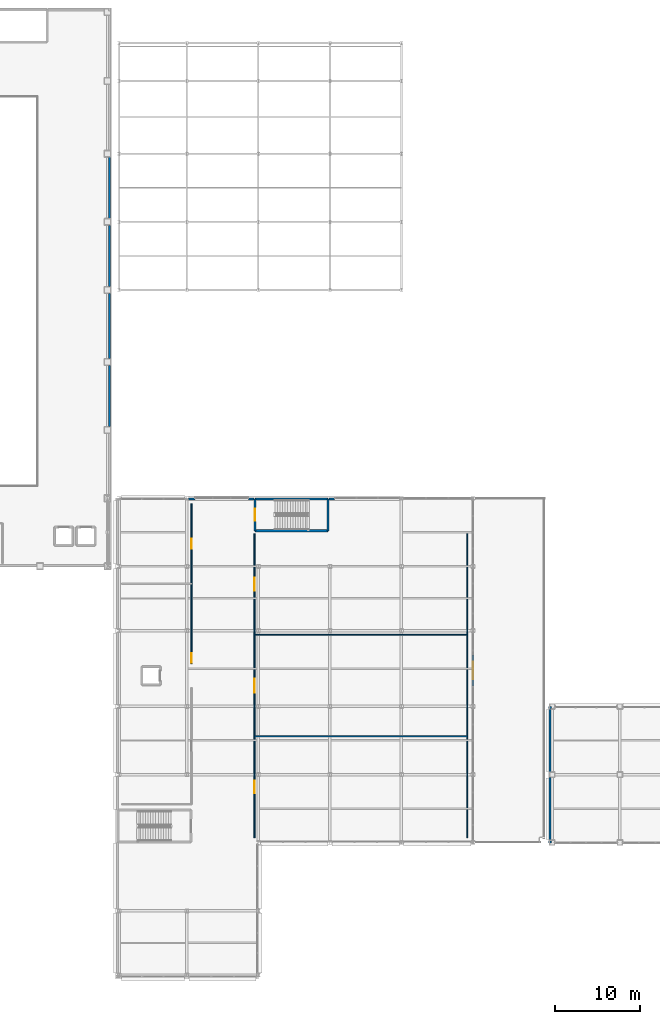
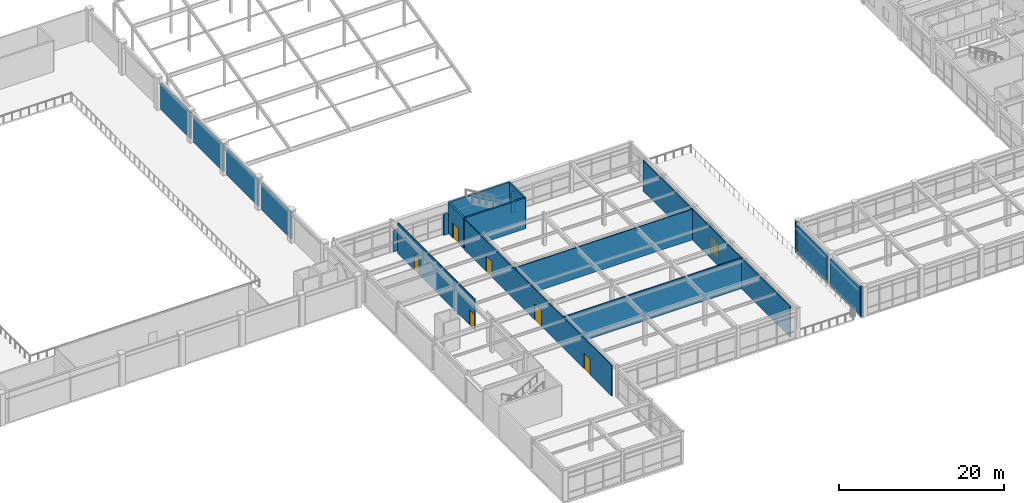
# One storey, part 74 of 93: 21 walls, 7 doors, 7 openings.
"""IFC4 building model written with IfcOpenShell, lengths in metres."""

from ifc_helpers import new_model, si_unit, direction, frame, frame_2d, origin, place, context, subcontext, project, spatial, rectangle, extrude, material, layer, layer_set, type_object, element, fill, save


model = new_model("IFC4")

# Units and contexts
model_context = context("Model", 3, precision=1e-05, world=origin(), true_north=direction((0.0, 1.0)))
body_context = subcontext(model_context, "Body", "Model", "MODEL_VIEW")
ifc_project = project(units=[si_unit("LENGTHUNIT", "METRE"), si_unit("AREAUNIT", "SQUARE_METRE"), si_unit("VOLUMEUNIT", "CUBIC_METRE"), si_unit("PLANEANGLEUNIT", "RADIAN"), si_unit("MASSUNIT", "GRAM", prefix="KILO")], contexts=[model_context])

# Site, building, storey
site_placement = place(None, origin())
site = spatial("IfcSite", under=ifc_project, at=site_placement, CompositionType="ELEMENT")
building_placement = place(site_placement, origin())
building = spatial("IfcBuilding", under=site, at=building_placement, Name="Kazehara Bluff Congress Hotel", CompositionType="ELEMENT")
storey_placement = place(building_placement, frame((0.0, 0.0, 15.0)))
storey = spatial("IfcBuildingStorey", under=building, at=storey_placement, Name="L03", CompositionType="ELEMENT", Elevation=15.0)

# Wall, opening, door
ifc_material_1 = material(Name="Concrete C40/50", Category="concrete")
ifc_layer_1 = layer(ifc_material_1, 0.25)
ifc_layer_set_1 = layer_set([ifc_layer_1], Name="Concrete C40/50")
wall_type_1 = type_object("IfcWallType", Name="TP-CW-RC", PredefinedType="SHEAR", material=ifc_layer_set_1)
wall_1_placement = place(storey_placement, frame((75.675048828125, 52.625, 0.0), z_axis=(0.0, 0.0, 1.0), x_axis=(0.0, 1.0, 0.0)))
wall_1 = element("IfcWall", 1, at=wall_1_placement, inside=storey, type_object=wall_type_1, Name="L03 ST-09 core wall near", PredefinedType="SHEAR", context=body_context, shape_type="SweptSolid", body=[
    extrude(rectangle(XDim=3.75, YDim=0.25, at=frame_2d((1.875, 0.0))), origin(), (0.0, 0.0, 1.0), 4.56005859375),
])
opening_1_placement = place(wall_1_placement, frame((1.175048828125, 0.0, 0.0)))
opening_1 = element("IfcOpeningElement", 2, at=opening_1_placement, cuts=wall_1, Name="Opening FD-03", PredefinedType="OPENING", context=body_context, shape_type="SweptSolid", body=[
    extrude(rectangle(XDim=1.39990234375, YDim=2.25, at=frame_2d((0.699951171875, 1.125))), frame((0.0, 0.135009765625, 0.0), z_axis=(0.0, -1.0, 0.0), x_axis=(1.0, 0.0, 0.0)), (0.0, 0.0, 1.0), 0.27001953125),
])
ifc_material_2 = material(Name="Fire-rated painted steel leaf", Category="steel")
door_type_1 = type_object("IfcDoorType", Name="TP-FD-03", OperationType="NOTDEFINED", PredefinedType="DOOR", material=ifc_material_2)
door_1_placement = place(opening_1_placement, origin())
door_1 = element("IfcDoor", 3, at=door_1_placement, inside=storey, type_object=door_type_1, Name="L03 ST-09 fire stair door", OperationType="SINGLE_SWING_LEFT", OverallHeight=2.25, OverallWidth=1.39990234375, PredefinedType="DOOR", context=body_context, shape_type="SweptSolid", body=[
    extrude(rectangle(XDim=1.39990234375, YDim=2.25, at=frame_2d((0.699951171875, 1.125))), frame((0.0, 0.02490234375, 0.0), z_axis=(0.0, -1.0, 0.0), x_axis=(1.0, 0.0, 0.0)), (0.0, 0.0, 1.0), 0.050048828125),
])
fill(opening_1, door_1)

# Walls
wall_2_placement = place(storey_placement, frame((84.22509765625, 56.375, 0.0), z_axis=(0.0, 0.0, 1.0), x_axis=(0.0, -1.0, 0.0)))
element("IfcWall", 4, at=wall_2_placement, inside=storey, type_object=wall_type_1, Name="L03 ST-09 core wall far", PredefinedType="SHEAR", context=body_context, shape_type="SweptSolid", body=[
    extrude(rectangle(XDim=3.75, YDim=0.25, at=frame_2d((1.875, 0.0))), origin(), (0.0, 0.0, 1.0), 4.56005859375),
])
for number, where, z_axis, x_axis, name in (
    (5, (84.22509765625, 52.625, 0.0), (0.0, 0.0, 1.0), (-1.0, 0.0, 0.0), "L03 ST-09 core wall left"),
    (6, (75.675048828125, 56.375, 0.0), (0.0, 0.0, 1.0), (1.0, 0.0, 0.0), "L03 ST-09 core wall right"),
):
    element("IfcWall", number, at=place(storey_placement, frame(where, z_axis=z_axis, x_axis=x_axis)), inside=storey, type_object=wall_type_1, Name=name, PredefinedType="SHEAR", context=body_context, shape_type="SweptSolid", body=[
        extrude(rectangle(XDim=8.550048828125, YDim=0.25, at=frame_2d((4.27490234375, 0.0))), origin(), (0.0, 0.0, 1.0), 4.56005859375),
    ])

# Wall, opening, door
ifc_material_3 = material(Name="Precast concrete C40/50", Category="concrete")
ifc_layer_2 = layer(ifc_material_3, 0.239990234375)
ifc_layer_set_2 = layer_set([ifc_layer_2], Name="Precast concrete C40/50")
wall_type_2 = type_object("IfcWallType", Name="TP-EW-240", PredefinedType="SOLIDWALL", material=ifc_layer_set_2)
wall_3_placement = place(storey_placement, frame((101.25, 34.425048828125, 0.0), z_axis=(0.0, 0.0, 1.0), x_axis=(0.0, 1.0, 0.0)))
wall_3 = element("IfcWall", 7, at=wall_3_placement, inside=storey, type_object=wall_type_2, Name="Concourse Court Terrace access wall", PredefinedType="SOLIDWALL", context=body_context, shape_type="SweptSolid", body=[
    extrude(rectangle(XDim=3.599853515625, YDim=0.239990234375, at=frame_2d((1.7998046875, 0.0))), origin(), (0.0, 0.0, 1.0), 3.885009765625),
])
opening_2_placement = place(wall_3_placement, frame((0.75, 0.0, 0.0)))
opening_2 = element("IfcOpeningElement", 8, at=opening_2_placement, cuts=wall_3, Name="Opening TD-03", PredefinedType="OPENING", context=body_context, shape_type="SweptSolid", body=[
    extrude(rectangle(XDim=2.10009765625, YDim=2.39990234375, at=frame_2d((1.050048828125, 1.199951171875))), frame((0.0, 0.1298828125, 0.0), z_axis=(0.0, -1.0, 0.0), x_axis=(1.0, 0.0, 0.0)), (0.0, 0.0, 1.0), 0.260009765625),
])
ifc_material_4 = material(Name="Anodised aluminium", Category="aluminium")
door_type_2 = type_object("IfcDoorType", Name="TP-TD-03", OperationType="SLIDING_TO_LEFT", PredefinedType="DOOR", material=ifc_material_4)
door_2_placement = place(opening_2_placement, origin())
door_2 = element("IfcDoor", 9, at=door_2_placement, inside=storey, type_object=door_type_2, Name="Concourse Court Terrace terrace door", OperationType="SLIDING_TO_LEFT", OverallHeight=2.39990234375, OverallWidth=2.10009765625, PredefinedType="DOOR", context=body_context, shape_type="SweptSolid", body=[
    extrude(rectangle(XDim=2.10009765625, YDim=2.39990234375, at=frame_2d((1.050048828125, 1.199951171875))), frame((0.0, 0.02490234375, 0.0), z_axis=(0.0, -1.0, 0.0), x_axis=(1.0, 0.0, 0.0)), (0.0, 0.0, 1.0), 0.050048828125),
])
fill(opening_2, door_2)

# Walls
wall_4_placement = place(storey_placement, frame((58.580078125, 72.050048828125, 0.0), z_axis=(0.0, 0.0, 1.0), x_axis=(0.0, -1.0, 0.0)))
element("IfcWall", 10, at=wall_4_placement, inside=storey, type_object=wall_type_2, Name="L03 V1 perimeter spandrel pier 673", PredefinedType="SOLIDWALL", context=body_context, shape_type="SweptSolid", body=[
    extrude(rectangle(XDim=7.199951171875, YDim=0.239990234375, at=frame_2d((3.60009765625, 0.0))), origin(), (0.0, 0.0, 1.0), 3.885009765625),
])
wall_5_placement = place(storey_placement, frame((58.580078125, 80.5, 0.0), z_axis=(0.0, 0.0, 1.0), x_axis=(0.0, -1.0, 0.0)))
element("IfcWall", 11, at=wall_5_placement, inside=storey, type_object=wall_type_2, Name="L03 V1 perimeter spandrel pier 674", PredefinedType="SOLIDWALL", context=body_context, shape_type="SweptSolid", body=[
    extrude(rectangle(XDim=7.64990234375, YDim=0.239990234375, at=frame_2d((3.824951171875, 0.0))), origin(), (0.0, 0.0, 1.0), 3.885009765625),
])
for number, where, z_axis, x_axis, name in (
    (12, (58.580078125, 88.5, 0.0), (0.0, 0.0, 1.0), (0.0, -1.0, 0.0), "L03 V1 perimeter spandrel pier 675"),
    (13, (58.580078125, 96.5, 0.0), (0.0, 0.0, 1.0), (0.0, -1.0, 0.0), "L03 V1 perimeter spandrel pier 676"),
):
    element("IfcWall", number, at=place(storey_placement, frame(where, z_axis=z_axis, x_axis=x_axis)), inside=storey, type_object=wall_type_2, Name=name, PredefinedType="SOLIDWALL", context=body_context, shape_type="SweptSolid", body=[
        extrude(rectangle(XDim=7.199951171875, YDim=0.239990234375, at=frame_2d((3.60009765625, 0.0))), origin(), (0.0, 0.0, 1.0), 3.885009765625),
    ])
wall_6_placement = place(storey_placement, frame((67.85009765625, 56.35009765625, 0.0), z_axis=(0.0, 0.0, 1.0), x_axis=(1.0, 0.0, 0.0)))
element("IfcWall", 14, at=wall_6_placement, inside=storey, type_object=wall_type_2, Name="L03 V4 perimeter spandrel pier 698", PredefinedType="SOLIDWALL", context=body_context, shape_type="SweptSolid", body=[
    extrude(rectangle(XDim=0.75, YDim=0.239990234375, at=frame_2d((0.375, 0.0))), origin(), (0.0, 0.0, 1.0), 3.135009765625),
])
wall_7_placement = place(storey_placement, frame((74.89990234375, 56.35009765625, 0.0), z_axis=(0.0, 0.0, 1.0), x_axis=(1.0, 0.0, 0.0)))
element("IfcWall", 15, at=wall_7_placement, inside=storey, type_object=wall_type_2, Name="L03 V4 perimeter spandrel pier 699", PredefinedType="SOLIDWALL", context=body_context, shape_type="SweptSolid", body=[
    extrude(rectangle(XDim=0.64013671875, YDim=0.239990234375, at=frame_2d((0.320068359375, 0.0))), origin(), (0.0, 0.0, 1.0), 3.135009765625),
])
wall_8_placement = place(storey_placement, frame((84.360107421875, 56.35009765625, 0.0), z_axis=(0.0, 0.0, 1.0), x_axis=(1.0, 0.0, 0.0)))
element("IfcWall", 16, at=wall_8_placement, inside=storey, type_object=wall_type_2, Name="L03 V4 perimeter spandrel pier 700", PredefinedType="SOLIDWALL", context=body_context, shape_type="SweptSolid", body=[
    extrude(rectangle(XDim=0.639892578125, YDim=0.239990234375, at=frame_2d((0.31982421875, 0.0))), origin(), (0.0, 0.0, 1.0), 3.135009765625),
])
wall_9_placement = place(storey_placement, frame((110.10009765625, 31.89990234375, 0.0), z_axis=(0.0, 0.0, 1.0), x_axis=(1.0, 0.0, 0.0)))
element("IfcWall", 17, at=wall_9_placement, inside=storey, type_object=wall_type_2, Name="L03 V5 perimeter spandrel pier 714", PredefinedType="SOLIDWALL", context=body_context, shape_type="SweptSolid", body=[
    extrude(rectangle(XDim=0.35986328125, YDim=0.239990234375, at=frame_2d((0.179931640625, 0.0))), origin(), (0.0, 0.0, 1.0), 4.544921875),
])
for number, where, z_axis, x_axis, name in (
    (18, (110.320068359375, 16.324951171875, 0.0), (0.0, 0.0, 1.0), (0.0, 1.0, 0.0), "L03 V5 perimeter spandrel pier 715"),
    (19, (110.320068359375, 24.324951171875, 0.0), (0.0, 0.0, 1.0), (0.0, 1.0, 0.0), "L03 V5 perimeter spandrel pier 716"),
):
    element("IfcWall", number, at=place(storey_placement, frame(where, z_axis=z_axis, x_axis=x_axis)), inside=storey, type_object=wall_type_2, Name=name, PredefinedType="SOLIDWALL", context=body_context, shape_type="SweptSolid", body=[
        extrude(rectangle(XDim=7.35009765625, YDim=0.239990234375, at=frame_2d((3.675048828125, 0.0))), origin(), (0.0, 0.0, 1.0), 3.885009765625),
    ])
wall_10_placement = place(storey_placement, frame((110.4599609375, 16.10009765625, 0.0), z_axis=(0.0, 0.0, 1.0), x_axis=(-1.0, 0.0, 0.0)))
element("IfcWall", 20, at=wall_10_placement, inside=storey, type_object=wall_type_2, Name="L03 V5 perimeter spandrel pier 717", PredefinedType="SOLIDWALL", context=body_context, shape_type="SweptSolid", body=[
    extrude(rectangle(XDim=0.35986328125, YDim=0.239990234375, at=frame_2d((0.179931640625, 0.0))), origin(), (0.0, 0.0, 1.0), 4.544921875),
])
ifc_material_5 = material(Name="Fire-rated gypsum board stud partition")
ifc_layer_3 = layer(ifc_material_5, 0.1298828125)
ifc_layer_set_3 = layer_set([ifc_layer_3], Name="Fire-rated gypsum board stud partition")
wall_type_3 = type_object("IfcWallType", Name="TP-PT-130", PredefinedType="PARTITIONING", material=ifc_layer_set_3)
for number, where, z_axis, x_axis, name in (
    (21, (75.60009765625, 28.5, 0.0), (0.0, 0.0, 1.0), (1.0, 0.0, 0.0), "L03 partition PT-130 251"),
    (22, (75.60009765625, 40.39990234375, 0.0), (0.0, 0.0, 1.0), (1.0, 0.0, 0.0), "L03 partition PT-130 259"),
):
    element("IfcWall", number, at=place(storey_placement, frame(where, z_axis=z_axis, x_axis=x_axis)), inside=storey, type_object=wall_type_3, Name=name, PredefinedType="PARTITIONING", context=body_context, shape_type="SweptSolid", body=[
        extrude(rectangle(XDim=25.0, YDim=0.1298828125, at=frame_2d((12.5, 0.0))), origin(), (0.0, 0.0, 1.0), 4.544921875),
    ])

# Wall, openings, doors
wall_11_placement = place(storey_placement, frame((68.199951171875, 37.0, 0.0), z_axis=(0.0, 0.0, 1.0), x_axis=(0.0, 1.0, 0.0)))
wall_11 = element("IfcWall", 23, at=wall_11_placement, inside=storey, type_object=wall_type_3, Name="L03 partition PT-130 325", PredefinedType="PARTITIONING", context=body_context, shape_type="SweptSolid", body=[
    extrude(rectangle(XDim=18.800048828125, YDim=0.1298828125, at=frame_2d((9.39990234375, 0.0))), origin(), (0.0, 0.0, 1.0), 4.544921875),
])
opening_3_placement = place(wall_11_placement, frame((0.1201171875, 0.0, 0.0)))
opening_3 = element("IfcOpeningElement", 24, at=opening_3_placement, cuts=wall_11, Name="Opening ID-04", PredefinedType="OPENING", context=body_context, shape_type="SweptSolid", body=[
    extrude(rectangle(XDim=1.14990234375, YDim=2.219970703125, at=frame_2d((0.574951171875, 1.10986328125))), frame((0.0, 0.074951171875, 0.0), z_axis=(0.0, -1.0, 0.0), x_axis=(1.0, 0.0, 0.0)), (0.0, 0.0, 1.0), 0.14990234375),
])
opening_4_placement = place(wall_11_placement, frame((13.52490234375, 0.0, 0.0)))
opening_4 = element("IfcOpeningElement", 25, at=opening_4_placement, cuts=wall_11, Name="Opening ID-04", PredefinedType="OPENING", context=body_context, shape_type="SweptSolid", body=[
    extrude(rectangle(XDim=1.14990234375, YDim=2.219970703125, at=frame_2d((0.574951171875, 1.10986328125))), frame((0.0, 0.074951171875, 0.0), z_axis=(0.0, -1.0, 0.0), x_axis=(1.0, 0.0, 0.0)), (0.0, 0.0, 1.0), 0.14990234375),
])
ifc_material_6 = material(Name="Architectural oak veneer leaf")
door_type_3 = type_object("IfcDoorType", Name="TP-ID-04", OperationType="NOTDEFINED", PredefinedType="DOOR", material=ifc_material_6)
door_3_placement = place(opening_3_placement, origin())
door_3 = element("IfcDoor", 26, at=door_3_placement, inside=storey, type_object=door_type_3, Name="L03 Meeting Room L03-2 door", OperationType="SINGLE_SWING_LEFT", OverallHeight=2.219970703125, OverallWidth=1.14990234375, PredefinedType="DOOR", context=body_context, shape_type="SweptSolid", body=[
    extrude(rectangle(XDim=1.14990234375, YDim=2.219970703125, at=frame_2d((0.574951171875, 1.10986328125))), frame((0.0, 0.02490234375, 0.0), z_axis=(0.0, -1.0, 0.0), x_axis=(1.0, 0.0, 0.0)), (0.0, 0.0, 1.0), 0.050048828125),
])
fill(opening_3, door_3)
door_4_placement = place(opening_4_placement, origin())
door_4 = element("IfcDoor", 27, at=door_4_placement, inside=storey, type_object=door_type_3, Name="L03 Meeting Room L03-3 door", OperationType="SINGLE_SWING_RIGHT", OverallHeight=2.219970703125, OverallWidth=1.14990234375, PredefinedType="DOOR", context=body_context, shape_type="SweptSolid", body=[
    extrude(rectangle(XDim=1.14990234375, YDim=2.219970703125, at=frame_2d((0.574951171875, 1.10986328125))), frame((0.0, 0.02490234375, 0.0), z_axis=(0.0, -1.0, 0.0), x_axis=(1.0, 0.0, 0.0)), (0.0, 0.0, 1.0), 0.050048828125),
])
fill(opening_4, door_4)

wall_12_placement = place(storey_placement, frame((75.60009765625, 16.60009765625, 0.0), z_axis=(0.0, 0.0, 1.0), x_axis=(0.0, 1.0, 0.0)))
wall_12 = element("IfcWall", 28, at=wall_12_placement, inside=storey, type_object=wall_type_3, Name="L03 partition PT-130 326", PredefinedType="PARTITIONING", context=body_context, shape_type="SweptSolid", body=[
    extrude(rectangle(XDim=35.699951171875, YDim=0.1298828125, at=frame_2d((17.85009765625, 0.0))), origin(), (0.0, 0.0, 1.0), 4.544921875),
])
opening_5_placement = place(wall_12_placement, frame((5.199951171875, 0.0, 0.0)))
opening_5 = element("IfcOpeningElement", 29, at=opening_5_placement, cuts=wall_12, Name="Opening AD-01", PredefinedType="OPENING", context=body_context, shape_type="SweptSolid", body=[
    extrude(rectangle(XDim=1.5, YDim=2.300048828125, at=frame_2d((0.75, 1.14990234375))), frame((0.0, 0.074951171875, 0.0), z_axis=(0.0, -1.0, 0.0), x_axis=(1.0, 0.0, 0.0)), (0.0, 0.0, 1.0), 0.14990234375),
])
opening_6_placement = place(wall_12_placement, frame((17.02490234375, 0.0, 0.0)))
opening_6 = element("IfcOpeningElement", 30, at=opening_6_placement, cuts=wall_12, Name="Opening AD-04", PredefinedType="OPENING", context=body_context, shape_type="SweptSolid", body=[
    extrude(rectangle(XDim=1.64990234375, YDim=2.35009765625, at=frame_2d((0.824951171875, 1.175048828125))), frame((0.0, 0.074951171875, 0.0), z_axis=(0.0, -1.0, 0.0), x_axis=(1.0, 0.0, 0.0)), (0.0, 0.0, 1.0), 0.14990234375),
])
opening_7_placement = place(wall_12_placement, frame((29.0, 0.0, 0.0)))
opening_7 = element("IfcOpeningElement", 31, at=opening_7_placement, cuts=wall_12, Name="Opening AD-01", PredefinedType="OPENING", context=body_context, shape_type="SweptSolid", body=[
    extrude(rectangle(XDim=1.5, YDim=2.300048828125, at=frame_2d((0.75, 1.14990234375))), frame((0.0, 0.074951171875, 0.0), z_axis=(0.0, -1.0, 0.0), x_axis=(1.0, 0.0, 0.0)), (0.0, 0.0, 1.0), 0.14990234375),
])
ifc_material_7 = material(Name="Architectural oak veneer leaf")
door_type_4 = type_object("IfcDoorType", Name="TP-AD-01", OperationType="DOUBLE_DOOR_SINGLE_SWING", PredefinedType="DOOR", material=ifc_material_7)
door_5_placement = place(opening_5_placement, origin())
door_5 = element("IfcDoor", 32, at=door_5_placement, inside=storey, type_object=door_type_4, Name="L03 Bluff Court Summit Room 1 door", OperationType="DOUBLE_DOOR_SINGLE_SWING", OverallHeight=2.300048828125, OverallWidth=1.5, PredefinedType="DOOR", context=body_context, shape_type="SweptSolid", body=[
    extrude(rectangle(XDim=1.5, YDim=2.300048828125, at=frame_2d((0.75, 1.14990234375))), frame((0.0, 0.02490234375, 0.0), z_axis=(0.0, -1.0, 0.0), x_axis=(1.0, 0.0, 0.0)), (0.0, 0.0, 1.0), 0.050048828125),
])
fill(opening_5, door_5)
door_6_placement = place(opening_7_placement, origin())
door_6 = element("IfcDoor", 33, at=door_6_placement, inside=storey, type_object=door_type_4, Name="L03 Bluff Court Summit Room 3 door", OperationType="DOUBLE_DOOR_SINGLE_SWING", OverallHeight=2.300048828125, OverallWidth=1.5, PredefinedType="DOOR", context=body_context, shape_type="SweptSolid", body=[
    extrude(rectangle(XDim=1.5, YDim=2.300048828125, at=frame_2d((0.75, 1.14990234375))), frame((0.0, 0.02490234375, 0.0), z_axis=(0.0, -1.0, 0.0), x_axis=(1.0, 0.0, 0.0)), (0.0, 0.0, 1.0), 0.050048828125),
])
fill(opening_7, door_6)
ifc_material_8 = material(Name="Architectural oak veneer leaf")
door_type_5 = type_object("IfcDoorType", Name="TP-AD-04", OperationType="DOUBLE_DOOR_SINGLE_SWING", PredefinedType="DOOR", material=ifc_material_8)
door_7_placement = place(opening_6_placement, origin())
door_7 = element("IfcDoor", 34, at=door_7_placement, inside=storey, type_object=door_type_5, Name="L03 Bluff Court Summit Room 2 door", OperationType="DOUBLE_DOOR_SINGLE_SWING", OverallHeight=2.35009765625, OverallWidth=1.64990234375, PredefinedType="DOOR", context=body_context, shape_type="SweptSolid", body=[
    extrude(rectangle(XDim=1.64990234375, YDim=2.35009765625, at=frame_2d((0.824951171875, 1.175048828125))), frame((0.0, 0.02490234375, 0.0), z_axis=(0.0, -1.0, 0.0), x_axis=(1.0, 0.0, 0.0)), (0.0, 0.0, 1.0), 0.050048828125),
])
fill(opening_6, door_7)

# Wall
wall_13_placement = place(storey_placement, frame((100.60009765625, 16.60009765625, 0.0), z_axis=(0.0, 0.0, 1.0), x_axis=(0.0, 1.0, 0.0)))
element("IfcWall", 35, at=wall_13_placement, inside=storey, type_object=wall_type_3, Name="L03 partition PT-130 327", PredefinedType="PARTITIONING", context=body_context, shape_type="SweptSolid", body=[
    extrude(rectangle(XDim=35.699951171875, YDim=0.1298828125, at=frame_2d((17.85009765625, 0.0))), origin(), (0.0, 0.0, 1.0), 4.544921875),
])

save(model, "model.ifc")
